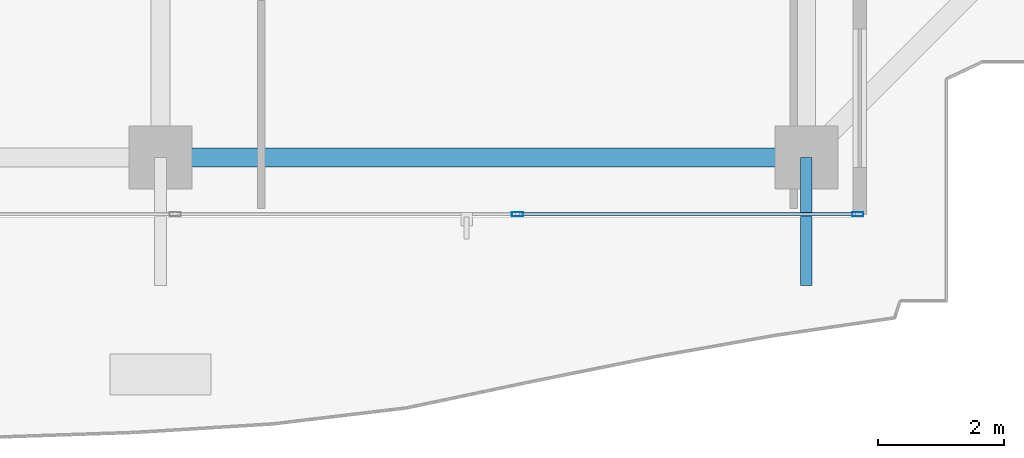
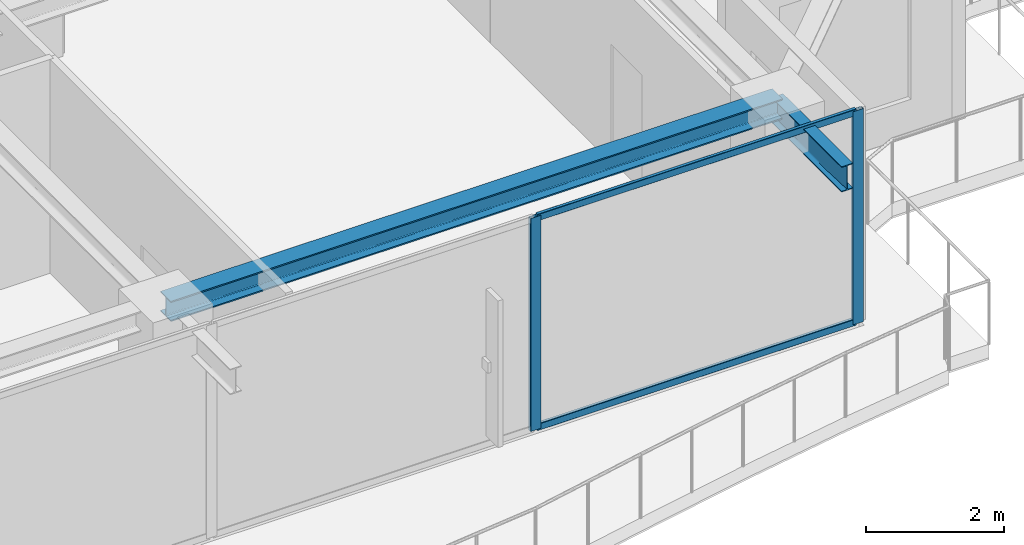
# One storey, part 12 of 42: 4 members, 2 beams, 1 element without a shape of its own.
"""IFC4 building model written with IfcOpenShell, lengths in metres."""

import ifcopenshell
import ifcopenshell.guid

model = None  # the IFC model being written
_history = None  # IfcOwnerHistory: only IFC2X3 demands one
_inside = {}  # id of a spatial element -> (the spatial element, [elements in it])
_under = {}  # id of a project, library or spatial element -> (it, [spatial elements below it])
_declared = {}  # id of a project -> (the project, [libraries it declares])
_typed = {}  # id of a type object -> (the type object, [elements of that type])
_made_of = {}  # id of a material, layer set ... -> (it, [elements and type objects made of it])


def new_model(schema):
    """Start an empty IFC model of exactly this schema.

    Asked for "IFC4X3", IfcOpenShell would pick the latest addendum, in which some entities
    have other attributes; the version numbers below select the first issue.
    IFC2X3 requires an IfcOwnerHistory on every rooted entity: one is made here for all.
    """
    global model, _history
    if schema == "IFC4X3":
        model = ifcopenshell.file(schema_version=(4, 3, 0, 0))
    else:
        model = ifcopenshell.file(schema=schema)
    _inside.clear()
    _under.clear()
    _declared.clear()
    _typed.clear()
    _made_of.clear()
    _history = None
    if model.schema == "IFC2X3":
        org = make("IfcOrganization", Name="unknown")
        user = make(
            "IfcPersonAndOrganization",
            ThePerson=make("IfcPerson", FamilyName="unknown"),
            TheOrganization=org,
        )
        app = make(
            "IfcApplication",
            ApplicationDeveloper=org,
            Version="unknown",
            ApplicationFullName="unknown",
            ApplicationIdentifier="unknown",
        )
        _history = make(
            "IfcOwnerHistory",
            OwningUser=user,
            OwningApplication=app,
            ChangeAction="ADDED",
            CreationDate=0,
        )
    return model


def make(cls, **values):
    """One entity of the class cls with the attributes given. An attribute that is None is left unset."""
    return model.create_entity(
        cls, **{name: value for name, value in values.items() if value is not None}
    )


def rooted(cls, **values):
    """An entity with a GlobalId (a new one), such as an element, a storey or a relation."""
    return make(cls, GlobalId=ifcopenshell.guid.new(), OwnerHistory=_history, **values)


def si_unit(unit_type, name, prefix=None):
    """IfcSIUnit, for example si_unit("LENGTHUNIT", "METRE", prefix="MILLI")."""
    return make("IfcSIUnit", UnitType=unit_type, Prefix=prefix, Name=name)


def assignment(units):
    """IfcUnitAssignment: the units of a project."""
    return None if units is None else make("IfcUnitAssignment", Units=units)


def point(xyz):
    """IfcCartesianPoint."""
    return None if xyz is None else make("IfcCartesianPoint", Coordinates=xyz)


def direction(xyz):
    """IfcDirection."""
    return None if xyz is None else make("IfcDirection", DirectionRatios=xyz)


def frame(location, z_axis=None, x_axis=None):
    """IfcAxis2Placement3D, a coordinate frame: its origin and axes. An axis left out is left unset."""
    return make(
        "IfcAxis2Placement3D",
        Location=point(location),
        Axis=direction(z_axis),
        RefDirection=direction(x_axis),
    )


def frame_2d(location, x_axis=None):
    """IfcAxis2Placement2D, a coordinate frame in the plane: its origin and x axis."""
    return make(
        "IfcAxis2Placement2D", Location=point(location), RefDirection=direction(x_axis)
    )


def origin():
    """The frame at (0, 0, 0) with its axes left unset."""
    return frame((0.0, 0.0, 0.0))


def origin_2d():
    """The frame at (0, 0) in the plane with its x axis left unset."""
    return frame_2d((0.0, 0.0))


def place(relative_to, where):
    """IfcLocalPlacement: puts the frame where relative to a parent placement (None: the world)."""
    return make(
        "IfcLocalPlacement", PlacementRelTo=relative_to, RelativePlacement=where
    )


def context(
    kind, dimensions, precision=None, world=None, true_north=None, identifier=None
):
    """IfcGeometricRepresentationContext, for example the 3D "Model" context."""
    return make(
        "IfcGeometricRepresentationContext",
        ContextIdentifier=identifier,
        ContextType=kind,
        CoordinateSpaceDimension=dimensions,
        Precision=precision,
        WorldCoordinateSystem=world,
        TrueNorth=true_north,
    )


def subcontext(parent, identifier, kind, view, scale=None):
    """IfcGeometricRepresentationSubContext, for example "Body" below "Model"."""
    return make(
        "IfcGeometricRepresentationSubContext",
        ContextIdentifier=identifier,
        ContextType=kind,
        ParentContext=parent,
        TargetScale=scale,
        TargetView=view,
    )


def project(units=None, contexts=None):
    """IfcProject with its units and contexts."""
    return rooted(
        "IfcProject",
        Name="project",
        RepresentationContexts=contexts,
        UnitsInContext=assignment(units),
    )


def spatial(cls, under=None, at=None, **own):
    """A site, building, storey or space (cls), placed at a placement, below another one or the project."""
    s = rooted(cls, ObjectPlacement=at, **own)
    if under is not None:
        _under.setdefault(under.id(), (under, []))[1].append(s)
    return s


def profile(cls, at=None, kind="AREA", **sizes):
    """A parametric profile (cls). Its sizes go by their IFC names, for example OverallWidth=200.0."""
    return make(cls, ProfileType=kind, Position=at, **sizes)


def hollow_rectangle(**sizes):
    """IfcRectangleHollowProfileDef."""
    return profile("IfcRectangleHollowProfileDef", **sizes)


def i_section(**sizes):
    """IfcIShapeProfileDef."""
    return profile("IfcIShapeProfileDef", **sizes)


def extrude(swept, where, along, depth):
    """IfcExtrudedAreaSolid: the profile swept, set in the frame where, extruded along a direction by depth."""
    return make(
        "IfcExtrudedAreaSolid",
        SweptArea=swept,
        Position=where,
        ExtrudedDirection=direction(along),
        Depth=depth,
    )


def shape(context_of_items, identifier, shape_type, items):
    """IfcShapeRepresentation: the items that make up one representation, for example the "Body"."""
    return make(
        "IfcShapeRepresentation",
        ContextOfItems=context_of_items,
        RepresentationIdentifier=identifier,
        RepresentationType=shape_type,
        Items=items,
    )


def source(mapping_origin, context_of_items, identifier, shape_type, items):
    """IfcRepresentationMap: a shape defined once, which mapped items show again and again."""
    return make(
        "IfcRepresentationMap",
        MappingOrigin=mapping_origin,
        MappedRepresentation=shape(context_of_items, identifier, shape_type, items),
    )


def transform(
    local_origin,
    x_axis=None,
    y_axis=None,
    z_axis=None,
    scale=None,
    scale2=None,
    scale3=None,
    uniform=True,
):
    """IfcCartesianTransformationOperator3D, or its non-uniform kind. x_axis, y_axis, z_axis: its Axis1, 2, 3."""
    if uniform:
        return make(
            "IfcCartesianTransformationOperator3D",
            Axis1=direction(x_axis),
            Axis2=direction(y_axis),
            LocalOrigin=point(local_origin),
            Scale=scale,
            Axis3=direction(z_axis),
        )
    return make(
        "IfcCartesianTransformationOperator3DnonUniform",
        Axis1=direction(x_axis),
        Axis2=direction(y_axis),
        LocalOrigin=point(local_origin),
        Scale=scale,
        Axis3=direction(z_axis),
        Scale2=scale2,
        Scale3=scale3,
    )


def mapped(mapping_source, mapping_target):
    """IfcMappedItem: shows the shape of a source again, moved by a transform."""
    return make(
        "IfcMappedItem", MappingSource=mapping_source, MappingTarget=mapping_target
    )


def material(Name=None, Category=None):
    """IfcMaterial."""
    return make("IfcMaterial", Name=Name, Category=Category)


def layer(
    of_material, thickness, ventilated=None, Name=None, Category=None, Priority=None
):
    """IfcMaterialLayer: one layer of a wall or slab, of a material (None: an air gap)."""
    return make(
        "IfcMaterialLayer",
        Material=of_material,
        LayerThickness=thickness,
        IsVentilated=ventilated,
        Name=Name,
        Category=Category,
        Priority=Priority,
    )


def layer_set(layers, Name=None):
    """IfcMaterialLayerSet."""
    return make("IfcMaterialLayerSet", MaterialLayers=layers, LayerSetName=Name)


def material_profile(
    of_material, cross_section, Name=None, Category=None, Priority=None
):
    """IfcMaterialProfile: a cross section and its material."""
    return make(
        "IfcMaterialProfile",
        Name=Name,
        Material=of_material,
        Profile=cross_section,
        Priority=Priority,
        Category=Category,
    )


def profile_set(profiles, Name=None, composite=None):
    """IfcMaterialProfileSet."""
    return make(
        "IfcMaterialProfileSet",
        Name=Name,
        MaterialProfiles=profiles,
        CompositeProfile=composite,
    )


def made_of(thing, what):
    """Note that an element or type object is made of a material, layer set ...; save() writes the relation."""
    if what is not None:
        _made_of.setdefault(what.id(), (what, []))[1].append(thing)
    return thing


def type_object(cls, material=None, **own):
    """A type object (cls), such as IfcWallType, which elements share."""
    return made_of(rooted(cls, **own), material)


def element(
    cls,
    number,
    at=None,
    inside=None,
    cuts=None,
    type_object=None,
    material=None,
    context=None,
    identifier="Body",
    shape_type=None,
    held_by="IfcProductDefinitionShape",
    body=None,
    shapes=None,
    **own,
):
    """One element of the class cls, such as IfcWall. Its Tag is "e" and its number.

    at: its placement. inside: the storey or other place that contains it. cuts: it is an
    opening in that element (IfcRelVoidsElement). A single representation is given by context,
    identifier, shape_type and body (its items); several are given by shapes. held_by: the class
    of the entity that holds the representations. save() writes the other relations.
    """
    e = rooted(cls, Tag="e%d" % number, ObjectPlacement=at, **own)
    if body is not None:
        shapes = [shape(context, identifier, shape_type, body)]
    if shapes is not None:
        e.Representation = make(held_by, Representations=shapes)
    if inside is not None:
        _inside.setdefault(inside.id(), (inside, []))[1].append(e)
    if cuts is not None:
        rooted(
            "IfcRelVoidsElement", RelatingBuildingElement=cuts, RelatedOpeningElement=e
        )
    if type_object is not None:
        _typed.setdefault(type_object.id(), (type_object, []))[1].append(e)
    return made_of(e, material)


def aggregate(whole, parts):
    """IfcRelAggregates: a whole, such as a stair, and the parts it consists of."""
    return rooted("IfcRelAggregates", RelatingObject=whole, RelatedObjects=parts)


def save(model, path):
    """Write the relations noted so far, then the file.

    IfcRelAggregates (storeys below a building ...), IfcRelContainedInSpatialStructure (elements
    in a storey), IfcRelDefinesByType, IfcRelAssociatesMaterial and IfcRelDeclares: one each for
    every whole, place, type object, material and project.
    """
    for whole, parts in _under.values():
        aggregate(whole, parts)
    for where, things in _inside.values():
        rooted(
            "IfcRelContainedInSpatialStructure",
            RelatedElements=things,
            RelatingStructure=where,
        )
    for kind, things in _typed.values():
        rooted("IfcRelDefinesByType", RelatedObjects=things, RelatingType=kind)
    for what, things in _made_of.values():
        rooted("IfcRelAssociatesMaterial", RelatedObjects=things, RelatingMaterial=what)
    for by, libraries in _declared.values():
        rooted("IfcRelDeclares", RelatingContext=by, RelatedDefinitions=libraries)
    model.write(path)


model = new_model("IFC4")

# Units and contexts
model_context = context("Model", 3, precision=1e-05, world=origin(), true_north=direction((0.0, 1.0)))
body_context = subcontext(model_context, "Body", "Model", "MODEL_VIEW")
ifc_project = project(units=[si_unit("LENGTHUNIT", "METRE"), si_unit("AREAUNIT", "SQUARE_METRE"), si_unit("VOLUMEUNIT", "CUBIC_METRE"), si_unit("PLANEANGLEUNIT", "RADIAN"), si_unit("MASSUNIT", "GRAM", prefix="KILO")], contexts=[model_context])

# Site, building, storey
site_placement = place(None, origin())
site = spatial("IfcSite", under=ifc_project, at=site_placement, CompositionType="ELEMENT")
building_placement = place(site_placement, origin())
building = spatial("IfcBuilding", under=site, at=building_placement, Name="Serunith Strait Residences", CompositionType="ELEMENT")
storey_placement = place(building_placement, frame((0.0, 0.0, 325.85009765625)))
storey = spatial("IfcBuildingStorey", under=building, at=storey_placement, Name="L81", CompositionType="ELEMENT", Elevation=325.85009765625)

# Beams
ifc_material_1 = material(Name="Steel S355J2", Category="steel")
ifc_material_profile_1 = material_profile(ifc_material_1, i_section(OverallWidth=0.300048828125, OverallDepth=0.360107421875, WebThickness=0.012451171875, FlangeThickness=0.0224609375, FilletRadius=0.027099609375, at=origin_2d()), Name="HEB 360")
ifc_profile_set_1 = profile_set([ifc_material_profile_1], Name="Steel S355J2")
beam_type_1 = type_object("IfcBeamType", Name="BM-HEB360", PredefinedType="BEAM", material=ifc_profile_set_1)
shared_shape_1 = source(origin(), body_context, "Body", "SweptSolid", [
    extrude(i_section(OverallWidth=0.300048828125, OverallDepth=0.360107421875, WebThickness=0.012451171875, FlangeThickness=0.0224609375, FilletRadius=0.027099609375, at=origin_2d()), origin(), (0.0, 0.0, 1.0), 10.25),
])
beam_1_placement = place(storey_placement, frame((36.89990234375, 3.300048828125, 3.60693359375), z_axis=(1.0, 0.0, 0.0), x_axis=(0.0, 1.0, 0.0)))
element("IfcBeam", 1, at=beam_1_placement, inside=storey, type_object=beam_type_1, Name="L81 Perimeter Ring Beam 03", PredefinedType="BEAM", context=body_context, shape_type="MappedRepresentation", body=[
    mapped(shared_shape_1, transform((0.0, 0.0, 0.0), scale=1.0)),
])
ifc_material_profile_2 = material_profile(ifc_material_1, i_section(OverallWidth=0.18994140625, OverallDepth=0.449951171875, WebThickness=0.009521484375, FlangeThickness=0.0146484375, FilletRadius=0.02099609375, at=origin_2d()), Name="IPE 450")
ifc_profile_set_2 = profile_set([ifc_material_profile_2], Name="Steel S355J2")
beam_type_2 = type_object("IfcBeamType", Name="BM-IPE450", PredefinedType="JOIST", material=ifc_profile_set_2)
shared_shape_2 = source(origin(), body_context, "Body", "SweptSolid", [
    extrude(i_section(OverallWidth=0.18994140625, OverallDepth=0.449951171875, WebThickness=0.009521484375, FlangeThickness=0.0146484375, FilletRadius=0.02099609375, at=origin_2d()), origin(), (0.0, 0.0, 1.0), 2.030029296875),
])
beam_2_placement = place(storey_placement, frame((47.14990234375, 3.300048828125, 3.531982421875), z_axis=(0.0, -1.0, 0.0), x_axis=(1.0, 0.0, 0.0)))
element("IfcBeam", 2, at=beam_2_placement, inside=storey, type_object=beam_type_2, Name="L82 Cantilevered Balcony Rib TC-S4", PredefinedType="JOIST", context=body_context, shape_type="MappedRepresentation", body=[
    mapped(shared_shape_2, transform((0.0, 0.0, 0.0), scale=1.0)),
])

# Curtain wall, members
ifc_material_2 = material(Name="Brushed Stainless-Silver Aluminium", Category="aluminium")
ifc_layer = layer(ifc_material_2, 0.199951171875, Name="Brushed Stainless-Silver Aluminium")
ifc_layer_set = layer_set([ifc_layer], Name="Brushed Stainless-Silver Aluminium")
curtain_wall_type = type_object("IfcCurtainWallType", Name="CW-SYS5", PredefinedType="NOTDEFINED", material=ifc_layer_set)
curtain_wall_placement = place(storey_placement, origin())
curtain_wall = element("IfcCurtainWall", 3, at=curtain_wall_placement, inside=storey, type_object=curtain_wall_type, Name="L81 S Unitised Fritted Curtain Wall", PredefinedType="NOTDEFINED")
ifc_material_profile_3 = material_profile(ifc_material_2, hollow_rectangle(XDim=0.06494140625, YDim=0.179931640625, WallThickness=0.00341796875, InnerFilletRadius=0.00537109375, OuterFilletRadius=0.0087890625, at=origin_2d()), Name="ALU 180x65x3.5")
ifc_profile_set_3 = profile_set([ifc_material_profile_3], Name="Brushed Stainless-Silver Aluminium")
member_type_1 = type_object("IfcMemberType", Name="CW-SYS5-MULL", PredefinedType="MULLION", material=ifc_profile_set_3)
shared_shape_3 = source(origin(), body_context, "Body", "SweptSolid", [
    extrude(hollow_rectangle(XDim=0.06494140625, YDim=0.179931640625, WallThickness=0.00341796875, InnerFilletRadius=0.00537109375, OuterFilletRadius=0.0087890625, at=origin_2d()), origin(), (0.0, 0.0, 1.0), 3.77490234375),
])
member_1_placement = place(storey_placement, frame((42.566650390625, 2.39990234375, 0.0), z_axis=(0.0, 0.0, 1.0), x_axis=(0.0, 1.0, 0.0)))
member_1 = element("IfcMember", 4, at=member_1_placement, type_object=member_type_1, Name="CW-5 mullion 3", PredefinedType="MULLION", context=body_context, shape_type="MappedRepresentation", body=[
    mapped(shared_shape_3, transform((0.0, 0.0, 0.0), scale=1.0)),
])
member_2_placement = place(storey_placement, frame((47.967529296875, 2.39990234375, 0.0), z_axis=(0.0, 0.0, 1.0), x_axis=(0.0, 1.0, 0.0)))
member_2 = element("IfcMember", 5, at=member_2_placement, type_object=member_type_1, Name="CW-5 mullion 4", PredefinedType="MULLION", context=body_context, shape_type="MappedRepresentation", body=[
    mapped(shared_shape_3, transform((0.0, 0.0, 0.0), scale=1.0)),
])
ifc_material_profile_4 = material_profile(ifc_material_2, hollow_rectangle(XDim=0.06005859375, YDim=0.1201171875, WallThickness=0.00341796875, InnerFilletRadius=0.00537109375, OuterFilletRadius=0.0087890625, at=origin_2d()), Name="ALU 120x60x3.5")
ifc_profile_set_4 = profile_set([ifc_material_profile_4], Name="Brushed Stainless-Silver Aluminium")
member_type_2 = type_object("IfcMemberType", Name="CW-SYS5-TRAN", PredefinedType="USERDEFINED", material=ifc_profile_set_4)
shared_shape_4 = source(origin(), body_context, "Body", "SweptSolid", [
    extrude(hollow_rectangle(XDim=0.06005859375, YDim=0.1201171875, WallThickness=0.00341796875, InnerFilletRadius=0.00537109375, OuterFilletRadius=0.0087890625, at=origin_2d()), origin(), (0.0, 0.0, 1.0), 5.3359375),
])
member_3_placement = place(storey_placement, frame((42.59912109375, 2.39990234375, 0.02978515625), z_axis=(1.0, 0.0, 0.0), x_axis=(0.0, 1.0, 0.0)))
member_3 = element("IfcMember", 6, at=member_3_placement, type_object=member_type_2, Name="CW-5 transom 3.1", ObjectType="TRANSOM", PredefinedType="USERDEFINED", context=body_context, shape_type="MappedRepresentation", body=[
    mapped(shared_shape_4, transform((0.0, 0.0, 0.0), scale=1.0)),
])
member_4_placement = place(storey_placement, frame((42.59912109375, 2.39990234375, 3.744873046875), z_axis=(1.0, 0.0, 0.0), x_axis=(0.0, 1.0, 0.0)))
member_4 = element("IfcMember", 7, at=member_4_placement, type_object=member_type_2, Name="CW-5 transom 3.2", ObjectType="TRANSOM", PredefinedType="USERDEFINED", context=body_context, shape_type="MappedRepresentation", body=[
    mapped(shared_shape_4, transform((0.0, 0.0, 0.0), scale=1.0)),
])
aggregate(curtain_wall, [member_1, member_2, member_3, member_4])

save(model, "model.ifc")
